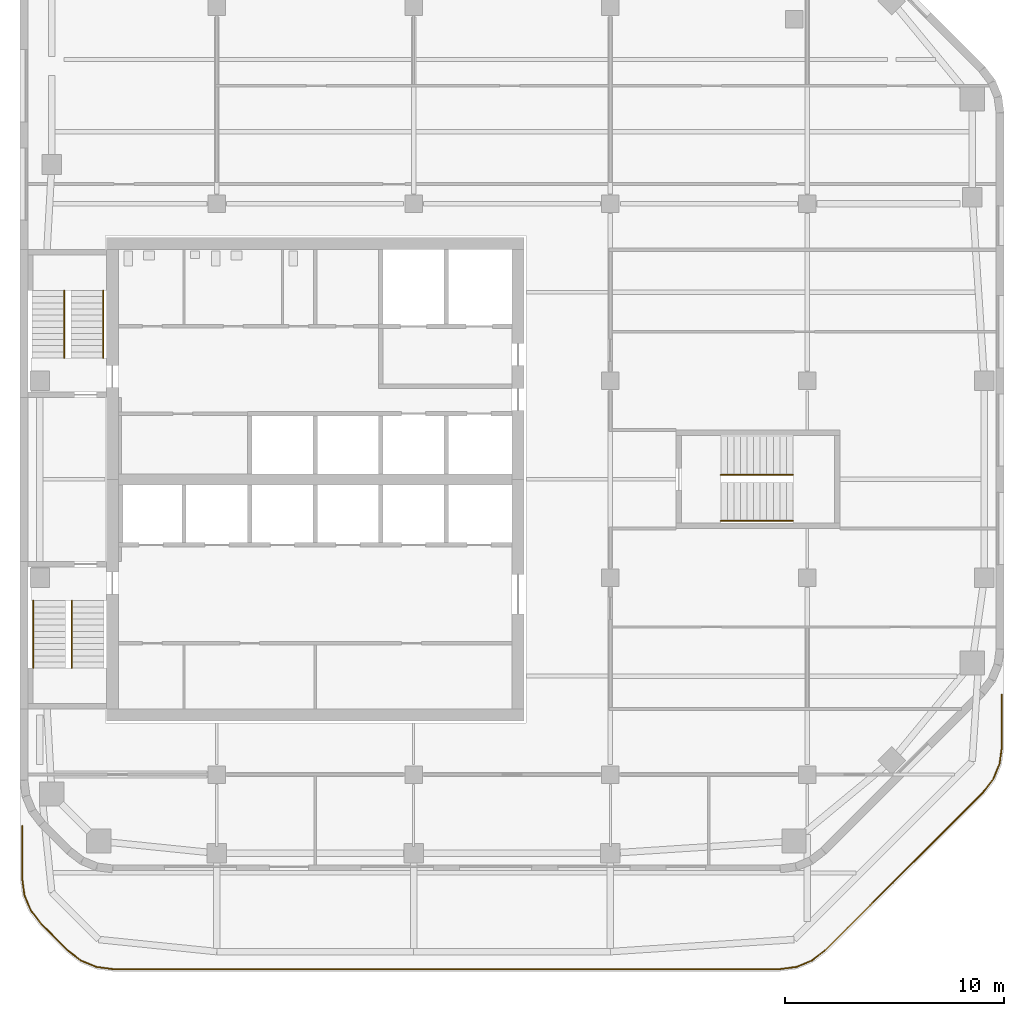
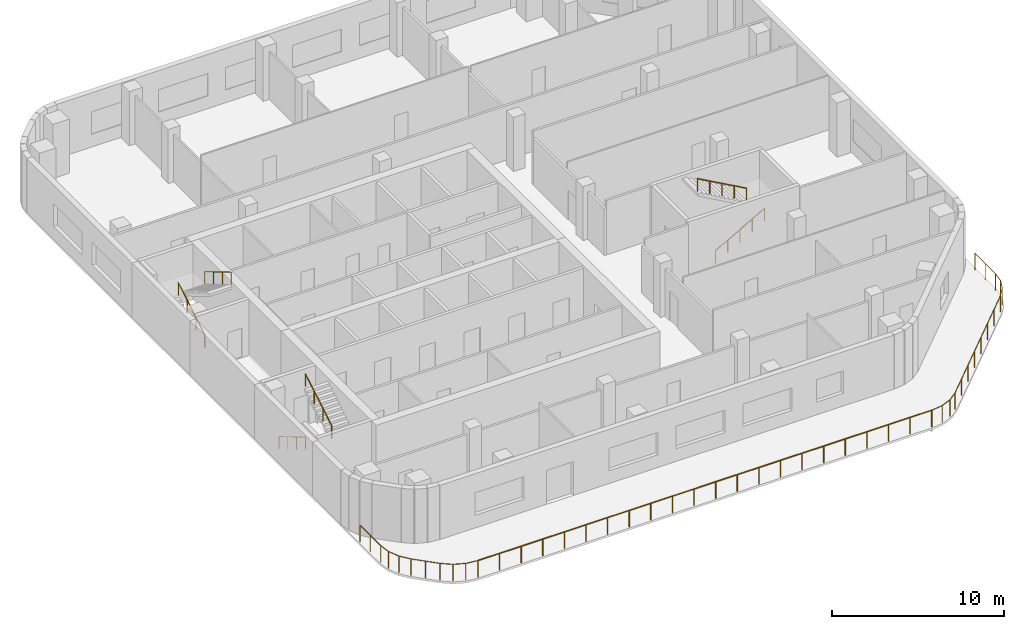
# One storey, part 7 of 8: 9 railings, 3 elements without a shape of their own.
"""IFC4 building model written with IfcOpenShell, lengths in metres."""

from ifc_helpers import new_model, si_unit, direction, frame, origin, origin_2d, place, context, subcontext, project, spatial, circle, extrude, material, type_object, element, aggregate, save


model = new_model("IFC4")

# Units and contexts
model_context = context("Model", 3, precision=1e-05, world=origin(), true_north=direction((0.0, 1.0)))
body_context = subcontext(model_context, "Body", "Model", "MODEL_VIEW")
ifc_project = project(units=[si_unit("LENGTHUNIT", "METRE"), si_unit("AREAUNIT", "SQUARE_METRE"), si_unit("VOLUMEUNIT", "CUBIC_METRE"), si_unit("PLANEANGLEUNIT", "RADIAN"), si_unit("MASSUNIT", "GRAM", prefix="KILO")], contexts=[model_context])

# Site, building, storey
site_placement = place(None, origin())
site = spatial("IfcSite", under=ifc_project, at=site_placement, CompositionType="ELEMENT")
building_placement = place(site_placement, origin())
building = spatial("IfcBuilding", under=site, at=building_placement, Name="Cinnabar Reach Civic Tower", CompositionType="ELEMENT")
storey_placement = place(building_placement, frame((0.0, 0.0, 198.0)))
storey = spatial("IfcBuildingStorey", under=building, at=storey_placement, Name="L47", CompositionType="ELEMENT", Elevation=198.0)

# Railings
ifc_material_1 = material(Name="Stainless steel", Category="steel")
railing_type_1 = type_object("IfcRailingType", Name="Facade terrace guard 1200", PredefinedType="GUARDRAIL", material=ifc_material_1)
railing_1_placement = place(storey_placement, frame((44.9, 21.6505, 0.0)))
element("IfcRailing", 1, at=railing_1_placement, inside=storey, type_object=railing_type_1, Name="Terrace guard", PredefinedType="GUARDRAIL", context=body_context, shape_type="SweptSolid", body=[
    extrude(circle(Radius=0.024, at=origin_2d()), frame((0.0, 0.0, 1.176), z_axis=(0.0, -1.0, 0.0), x_axis=(1.0, 0.0, 0.0)), (0.0, 0.0, 1.0), 2.4013),
    extrude(circle(Radius=0.024, at=origin_2d()), frame((0.0, -2.4013, 1.176), z_axis=(-0.130464677782, -0.991452957962, 0.0), x_axis=(0.991452957962, -0.130464677782, 0.0)), (0.0, 0.0, 1.0), 0.7634),
    extrude(circle(Radius=0.024, at=origin_2d()), frame((-0.0996, -3.1582, 1.176), z_axis=(-0.382775770387, -0.923841279444, 0.0), x_axis=(0.923841279444, -0.382775770387, 0.0)), (0.0, 0.0, 1.0), 0.7568),
    extrude(circle(Radius=0.024, at=origin_2d()), frame((-0.3893, -3.8574, 1.176), z_axis=(-0.608703751361, -0.793397594576, 0.0), x_axis=(0.793397594576, -0.608703751361, 0.0)), (0.0, 0.0, 1.0), 0.7634),
    extrude(circle(Radius=0.024, at=origin_2d()), frame((-0.854, -4.4631, 1.176), z_axis=(-0.707106781187, -0.707106781187, 0.0), x_axis=(0.707106781187, -0.707106781187, 0.0)), (0.0, 0.0, 1.0), 10.2296),
    extrude(circle(Radius=0.024, at=origin_2d()), frame((-8.0874, -11.6965, 1.176), z_axis=(-0.793397594576, -0.608703751361, 0.0), x_axis=(0.608703751361, -0.793397594576, 0.0)), (0.0, 0.0, 1.0), 0.7634),
    extrude(circle(Radius=0.024, at=origin_2d()), frame((-8.6931, -12.1612, 1.176), z_axis=(-0.923841279444, -0.382775770387, 0.0), x_axis=(0.382775770387, -0.923841279444, 0.0)), (0.0, 0.0, 1.0), 0.7568),
    extrude(circle(Radius=0.024, at=origin_2d()), frame((-9.3923, -12.4509, 1.176), z_axis=(-0.991452957962, -0.130464677782, 0.0), x_axis=(0.130464677782, -0.991452957962, 0.0)), (0.0, 0.0, 1.0), 0.7634),
    extrude(circle(Radius=0.021, at=origin_2d()), origin(), (0.0, 0.0, 1.0), 1.152),
    extrude(circle(Radius=0.021, at=origin_2d()), frame((0.0, -1.2007, 0.0)), (0.0, 0.0, 1.0), 1.152),
    extrude(circle(Radius=0.021, at=origin_2d()), frame((0.0, -2.4013, 0.0)), (0.0, 0.0, 1.0), 1.152),
    extrude(circle(Radius=0.021, at=origin_2d()), frame((-0.0996, -3.1582, 0.0)), (0.0, 0.0, 1.0), 1.152),
    extrude(circle(Radius=0.021, at=origin_2d()), frame((-0.3893, -3.8574, 0.0)), (0.0, 0.0, 1.0), 1.152),
    extrude(circle(Radius=0.021, at=origin_2d()), frame((-0.854, -4.4631, 0.0)), (0.0, 0.0, 1.0), 1.152),
    extrude(circle(Radius=0.021, at=origin_2d()), frame((-1.8873, -5.4964, 0.0)), (0.0, 0.0, 1.0), 1.152),
    extrude(circle(Radius=0.021, at=origin_2d()), frame((-2.9207, -6.5298, 0.0)), (0.0, 0.0, 1.0), 1.152),
    extrude(circle(Radius=0.021, at=origin_2d()), frame((-3.954, -7.5631, 0.0)), (0.0, 0.0, 1.0), 1.152),
    extrude(circle(Radius=0.021, at=origin_2d()), frame((-4.9874, -8.5965, 0.0)), (0.0, 0.0, 1.0), 1.152),
    extrude(circle(Radius=0.021, at=origin_2d()), frame((-6.0207, -9.6298, 0.0)), (0.0, 0.0, 1.0), 1.152),
    extrude(circle(Radius=0.021, at=origin_2d()), frame((-7.0541, -10.6632, 0.0)), (0.0, 0.0, 1.0), 1.152),
    extrude(circle(Radius=0.021, at=origin_2d()), frame((-8.0874, -11.6965, 0.0)), (0.0, 0.0, 1.0), 1.152),
    extrude(circle(Radius=0.021, at=origin_2d()), frame((-8.6931, -12.1612, 0.0)), (0.0, 0.0, 1.0), 1.152),
    extrude(circle(Radius=0.021, at=origin_2d()), frame((-9.3923, -12.4509, 0.0)), (0.0, 0.0, 1.0), 1.152),
    extrude(circle(Radius=0.021, at=origin_2d()), frame((-10.1492, -12.5505, 0.0)), (0.0, 0.0, 1.0), 1.152),
])
railing_2_placement = place(storey_placement, frame((34.7508, 9.1, 0.0)))
element("IfcRailing", 2, at=railing_2_placement, inside=storey, type_object=railing_type_1, Name="Terrace guard", PredefinedType="GUARDRAIL", context=body_context, shape_type="SweptSolid", body=[
    extrude(circle(Radius=0.024, at=origin_2d()), frame((0.0, 0.0, 1.176), z_axis=(-1.0, 0.0, 0.0), x_axis=(0.0, -1.0, 0.0)), (0.0, 0.0, 1.0), 30.5016),
    extrude(circle(Radius=0.021, at=origin_2d()), origin(), (0.0, 0.0, 1.0), 1.152),
    extrude(circle(Radius=0.021, at=origin_2d()), frame((-1.4525, 0.0, 0.0)), (0.0, 0.0, 1.0), 1.152),
    extrude(circle(Radius=0.021, at=origin_2d()), frame((-2.9049, 0.0, 0.0)), (0.0, 0.0, 1.0), 1.152),
    extrude(circle(Radius=0.021, at=origin_2d()), frame((-4.3574, 0.0, 0.0)), (0.0, 0.0, 1.0), 1.152),
    extrude(circle(Radius=0.021, at=origin_2d()), frame((-5.8098, 0.0, 0.0)), (0.0, 0.0, 1.0), 1.152),
    extrude(circle(Radius=0.021, at=origin_2d()), frame((-7.2623, 0.0, 0.0)), (0.0, 0.0, 1.0), 1.152),
    extrude(circle(Radius=0.021, at=origin_2d()), frame((-8.7147, 0.0, 0.0)), (0.0, 0.0, 1.0), 1.152),
    extrude(circle(Radius=0.021, at=origin_2d()), frame((-10.1672, 0.0, 0.0)), (0.0, 0.0, 1.0), 1.152),
    extrude(circle(Radius=0.021, at=origin_2d()), frame((-11.6197, 0.0, 0.0)), (0.0, 0.0, 1.0), 1.152),
    extrude(circle(Radius=0.021, at=origin_2d()), frame((-13.0721, 0.0, 0.0)), (0.0, 0.0, 1.0), 1.152),
    extrude(circle(Radius=0.021, at=origin_2d()), frame((-14.5246, 0.0, 0.0)), (0.0, 0.0, 1.0), 1.152),
    extrude(circle(Radius=0.021, at=origin_2d()), frame((-15.977, 0.0, 0.0)), (0.0, 0.0, 1.0), 1.152),
    extrude(circle(Radius=0.021, at=origin_2d()), frame((-17.4295, 0.0, 0.0)), (0.0, 0.0, 1.0), 1.152),
    extrude(circle(Radius=0.021, at=origin_2d()), frame((-18.8819, 0.0, 0.0)), (0.0, 0.0, 1.0), 1.152),
    extrude(circle(Radius=0.021, at=origin_2d()), frame((-20.3344, 0.0, 0.0)), (0.0, 0.0, 1.0), 1.152),
    extrude(circle(Radius=0.021, at=origin_2d()), frame((-21.7869, 0.0, 0.0)), (0.0, 0.0, 1.0), 1.152),
    extrude(circle(Radius=0.021, at=origin_2d()), frame((-23.2393, 0.0, 0.0)), (0.0, 0.0, 1.0), 1.152),
    extrude(circle(Radius=0.021, at=origin_2d()), frame((-24.6918, 0.0, 0.0)), (0.0, 0.0, 1.0), 1.152),
    extrude(circle(Radius=0.021, at=origin_2d()), frame((-26.1442, 0.0, 0.0)), (0.0, 0.0, 1.0), 1.152),
    extrude(circle(Radius=0.021, at=origin_2d()), frame((-27.5967, 0.0, 0.0)), (0.0, 0.0, 1.0), 1.152),
    extrude(circle(Radius=0.021, at=origin_2d()), frame((-29.0491, 0.0, 0.0)), (0.0, 0.0, 1.0), 1.152),
    extrude(circle(Radius=0.021, at=origin_2d()), frame((-30.5016, 0.0, 0.0)), (0.0, 0.0, 1.0), 1.152),
])
railing_3_placement = place(storey_placement, frame((4.2492, 9.1, 0.0)))
element("IfcRailing", 3, at=railing_3_placement, inside=storey, type_object=railing_type_1, Name="Terrace guard", PredefinedType="GUARDRAIL", context=body_context, shape_type="SweptSolid", body=[
    extrude(circle(Radius=0.024, at=origin_2d()), frame((0.0, 0.0, 1.176), z_axis=(-0.991452957962, 0.130464677782, 0.0), x_axis=(-0.130464677782, -0.991452957962, 0.0)), (0.0, 0.0, 1.0), 0.7634),
    extrude(circle(Radius=0.024, at=origin_2d()), frame((-0.7569, 0.0996, 1.176), z_axis=(-0.923841279444, 0.382775770387, 0.0), x_axis=(-0.382775770387, -0.923841279444, 0.0)), (0.0, 0.0, 1.0), 0.7568),
    extrude(circle(Radius=0.024, at=origin_2d()), frame((-1.4561, 0.3893, 1.176), z_axis=(-0.793397594576, 0.608703751361, 0.0), x_axis=(-0.608703751361, -0.793397594576, 0.0)), (0.0, 0.0, 1.0), 0.7634),
    extrude(circle(Radius=0.024, at=origin_2d()), frame((-2.0618, 0.854, 1.176), z_axis=(-0.707106781187, 0.707106781187, 0.0), x_axis=(-0.707106781187, -0.707106781187, 0.0)), (0.0, 0.0, 1.0), 1.7443),
    extrude(circle(Radius=0.024, at=origin_2d()), frame((-3.2952, 2.0874, 1.176), z_axis=(-0.608703751361, 0.793397594576, 0.0), x_axis=(-0.793397594576, -0.608703751361, 0.0)), (0.0, 0.0, 1.0), 0.7634),
    extrude(circle(Radius=0.024, at=origin_2d()), frame((-3.7599, 2.6931, 1.176), z_axis=(-0.382775770387, 0.923841279444, 0.0), x_axis=(-0.923841279444, -0.382775770387, 0.0)), (0.0, 0.0, 1.0), 0.7568),
    extrude(circle(Radius=0.024, at=origin_2d()), frame((-4.0496, 3.3923, 1.176), z_axis=(-0.130464677782, 0.991452957962, 0.0), x_axis=(-0.991452957962, -0.130464677782, 0.0)), (0.0, 0.0, 1.0), 0.7634),
    extrude(circle(Radius=0.024, at=origin_2d()), frame((-4.1492, 4.1492, 1.176), z_axis=(0.0, 1.0, 0.0), x_axis=(-1.0, 0.0, 0.0)), (0.0, 0.0, 1.0), 2.4013),
    extrude(circle(Radius=0.021, at=origin_2d()), origin(), (0.0, 0.0, 1.0), 1.152),
    extrude(circle(Radius=0.021, at=origin_2d()), frame((-0.7569, 0.0996, 0.0)), (0.0, 0.0, 1.0), 1.152),
    extrude(circle(Radius=0.021, at=origin_2d()), frame((-1.4561, 0.3893, 0.0)), (0.0, 0.0, 1.0), 1.152),
    extrude(circle(Radius=0.021, at=origin_2d()), frame((-2.0618, 0.854, 0.0)), (0.0, 0.0, 1.0), 1.152),
    extrude(circle(Radius=0.021, at=origin_2d()), frame((-2.6785, 1.4707, 0.0)), (0.0, 0.0, 1.0), 1.152),
    extrude(circle(Radius=0.021, at=origin_2d()), frame((-3.2952, 2.0874, 0.0)), (0.0, 0.0, 1.0), 1.152),
    extrude(circle(Radius=0.021, at=origin_2d()), frame((-3.7599, 2.6931, 0.0)), (0.0, 0.0, 1.0), 1.152),
    extrude(circle(Radius=0.021, at=origin_2d()), frame((-4.0496, 3.3923, 0.0)), (0.0, 0.0, 1.0), 1.152),
    extrude(circle(Radius=0.021, at=origin_2d()), frame((-4.1492, 4.1492, 0.0)), (0.0, 0.0, 1.0), 1.152),
    extrude(circle(Radius=0.021, at=origin_2d()), frame((-4.1492, 5.3498, 0.0)), (0.0, 0.0, 1.0), 1.152),
    extrude(circle(Radius=0.021, at=origin_2d()), frame((-4.1492, 6.5505, 0.0)), (0.0, 0.0, 1.0), 1.152),
])

# Stair, railings
ifc_material_2 = material(Name="Concrete C40/50", Category="concrete")
stair_type = type_object("IfcStairType", Name="T1 Exit stair, half-turn", PredefinedType="HALF_TURN_STAIR", material=ifc_material_2)
stair_1_placement = place(storey_placement, origin())
stair_1 = element("IfcStair", 4, at=stair_1_placement, inside=storey, type_object=stair_type, Name="Stair T1-S1", PredefinedType="HALF_TURN_STAIR")
ifc_material_3 = material(Name="Stainless steel tube", Category="steel")
railing_type_2 = type_object("IfcRailingType", Name="T1 Stair handrail, stainless tube 48", PredefinedType="HANDRAIL", material=ifc_material_3)
railing_4_placement = place(storey_placement, frame((0.6, 25.95, 0.1667)))
railing_4 = element("IfcRailing", 5, at=railing_4_placement, type_object=railing_type_2, Name="T1-S1 handrail 1", PredefinedType="HANDRAIL", context=body_context, shape_type="SweptSolid", body=[
    extrude(circle(Radius=0.024, at=origin_2d()), frame((0.0, 0.0, 0.876), z_axis=(0.0, -0.859296971757, 0.511476992962), x_axis=(1.0, 0.0, 0.0)), (0.0, 0.0, 1.0), 3.5843),
    extrude(circle(Radius=0.021, at=origin_2d()), origin(), (0.0, 0.0, 1.0), 0.852),
    extrude(circle(Radius=0.021, at=origin_2d()), frame((0.0, -1.0267, 0.6111)), (0.0, 0.0, 1.0), 0.852),
    extrude(circle(Radius=0.021, at=origin_2d()), frame((0.0, -2.0533, 1.2222)), (0.0, 0.0, 1.0), 0.852),
    extrude(circle(Radius=0.021, at=origin_2d()), frame((0.0, -3.08, 1.8333)), (0.0, 0.0, 1.0), 0.852),
])
railing_5_placement = place(storey_placement, frame((2.375, 22.87, 2.1667)))
railing_5 = element("IfcRailing", 6, at=railing_5_placement, type_object=railing_type_2, Name="T1-S1 handrail 2", PredefinedType="HANDRAIL", context=body_context, shape_type="SweptSolid", body=[
    extrude(circle(Radius=0.024, at=origin_2d()), frame((0.0, 0.0, 0.876), z_axis=(0.0, 0.859296971757, 0.511476992962), x_axis=(-1.0, 0.0, 0.0)), (0.0, 0.0, 1.0), 3.5843),
    extrude(circle(Radius=0.021, at=origin_2d()), origin(), (0.0, 0.0, 1.0), 0.852),
    extrude(circle(Radius=0.021, at=origin_2d()), frame((0.0, 1.0267, 0.6111)), (0.0, 0.0, 1.0), 0.852),
    extrude(circle(Radius=0.021, at=origin_2d()), frame((0.0, 2.0533, 1.2222)), (0.0, 0.0, 1.0), 0.852),
    extrude(circle(Radius=0.021, at=origin_2d()), frame((0.0, 3.08, 1.8333)), (0.0, 0.0, 1.0), 0.852),
])
aggregate(stair_1, [railing_4, railing_5])

stair_2_placement = place(storey_placement, origin())
stair_2 = element("IfcStair", 7, at=stair_2_placement, inside=storey, type_object=stair_type, Name="Stair T1-S2", PredefinedType="HALF_TURN_STAIR")
railing_6_placement = place(storey_placement, frame((2.025, 37.05, 0.1667)))
railing_6 = element("IfcRailing", 8, at=railing_6_placement, type_object=railing_type_2, Name="T1-S2 handrail 1", PredefinedType="HANDRAIL", context=body_context, shape_type="SweptSolid", body=[
    extrude(circle(Radius=0.024, at=origin_2d()), frame((0.0, 0.0, 0.876), z_axis=(0.0, 0.859296971757, 0.511476992962), x_axis=(-1.0, 0.0, 0.0)), (0.0, 0.0, 1.0), 3.5843),
    extrude(circle(Radius=0.021, at=origin_2d()), origin(), (0.0, 0.0, 1.0), 0.852),
    extrude(circle(Radius=0.021, at=origin_2d()), frame((0.0, 1.0267, 0.6111)), (0.0, 0.0, 1.0), 0.852),
    extrude(circle(Radius=0.021, at=origin_2d()), frame((0.0, 2.0533, 1.2222)), (0.0, 0.0, 1.0), 0.852),
    extrude(circle(Radius=0.021, at=origin_2d()), frame((0.0, 3.08, 1.8333)), (0.0, 0.0, 1.0), 0.852),
])
railing_7_placement = place(storey_placement, frame((3.8, 40.13, 2.1667)))
railing_7 = element("IfcRailing", 9, at=railing_7_placement, type_object=railing_type_2, Name="T1-S2 handrail 2", PredefinedType="HANDRAIL", context=body_context, shape_type="SweptSolid", body=[
    extrude(circle(Radius=0.024, at=origin_2d()), frame((0.0, 0.0, 0.876), z_axis=(0.0, -0.859296971757, 0.511476992962), x_axis=(1.0, 0.0, 0.0)), (0.0, 0.0, 1.0), 3.5843),
    extrude(circle(Radius=0.021, at=origin_2d()), origin(), (0.0, 0.0, 1.0), 0.852),
    extrude(circle(Radius=0.021, at=origin_2d()), frame((0.0, -1.0267, 0.6111)), (0.0, 0.0, 1.0), 0.852),
    extrude(circle(Radius=0.021, at=origin_2d()), frame((0.0, -2.0533, 1.2222)), (0.0, 0.0, 1.0), 0.852),
    extrude(circle(Radius=0.021, at=origin_2d()), frame((0.0, -3.08, 1.8333)), (0.0, 0.0, 1.0), 0.852),
])
aggregate(stair_2, [railing_6, railing_7])

stair_3_placement = place(storey_placement, origin())
stair_3 = element("IfcStair", 10, at=stair_3_placement, inside=storey, type_object=stair_type, Name="Stair T1-S3", PredefinedType="HALF_TURN_STAIR")
railing_8_placement = place(storey_placement, frame((32.05, 29.6, 0.1667)))
railing_8 = element("IfcRailing", 11, at=railing_8_placement, type_object=railing_type_2, Name="T1-S3 handrail 1", PredefinedType="HANDRAIL", context=body_context, shape_type="SweptSolid", body=[
    extrude(circle(Radius=0.024, at=origin_2d()), frame((0.0, 0.0, 0.876), z_axis=(0.874161024642, 0.0, 0.485636183781), x_axis=(0.0, 1.0, 0.0)), (0.0, 0.0, 1.0), 3.775),
    extrude(circle(Radius=0.021, at=origin_2d()), origin(), (0.0, 0.0, 1.0), 0.852),
    extrude(circle(Radius=0.021, at=origin_2d()), frame((0.825, 0.0, 0.4583)), (0.0, 0.0, 1.0), 0.852),
    extrude(circle(Radius=0.021, at=origin_2d()), frame((1.65, 0.0, 0.9167)), (0.0, 0.0, 1.0), 0.852),
    extrude(circle(Radius=0.021, at=origin_2d()), frame((2.475, 0.0, 1.375)), (0.0, 0.0, 1.0), 0.852),
    extrude(circle(Radius=0.021, at=origin_2d()), frame((3.3, 0.0, 1.8333)), (0.0, 0.0, 1.0), 0.852),
])
railing_9_placement = place(storey_placement, frame((35.35, 31.7, 2.1667)))
railing_9 = element("IfcRailing", 12, at=railing_9_placement, type_object=railing_type_2, Name="T1-S3 handrail 2", PredefinedType="HANDRAIL", context=body_context, shape_type="SweptSolid", body=[
    extrude(circle(Radius=0.024, at=origin_2d()), frame((0.0, 0.0, 0.876), z_axis=(-0.874161024642, 0.0, 0.485636183781), x_axis=(0.0, -1.0, 0.0)), (0.0, 0.0, 1.0), 3.775),
    extrude(circle(Radius=0.021, at=origin_2d()), origin(), (0.0, 0.0, 1.0), 0.852),
    extrude(circle(Radius=0.021, at=origin_2d()), frame((-0.825, 0.0, 0.4583)), (0.0, 0.0, 1.0), 0.852),
    extrude(circle(Radius=0.021, at=origin_2d()), frame((-1.65, 0.0, 0.9167)), (0.0, 0.0, 1.0), 0.852),
    extrude(circle(Radius=0.021, at=origin_2d()), frame((-2.475, 0.0, 1.375)), (0.0, 0.0, 1.0), 0.852),
    extrude(circle(Radius=0.021, at=origin_2d()), frame((-3.3, 0.0, 1.8333)), (0.0, 0.0, 1.0), 0.852),
])
aggregate(stair_3, [railing_8, railing_9])

save(model, "model.ifc")
